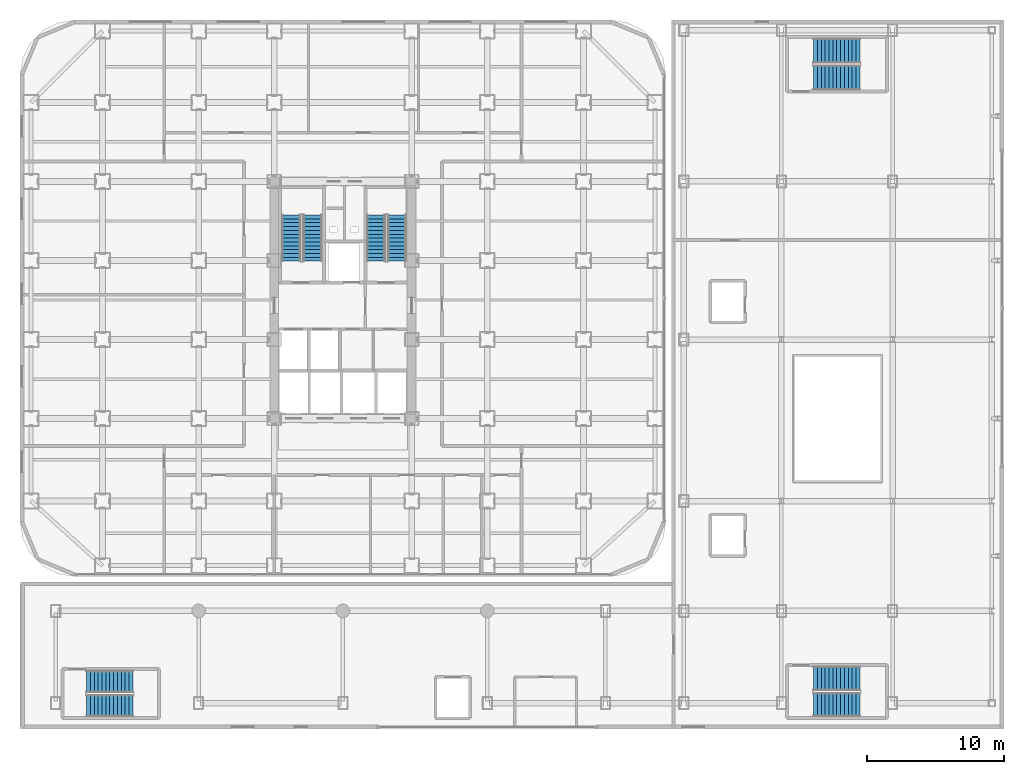
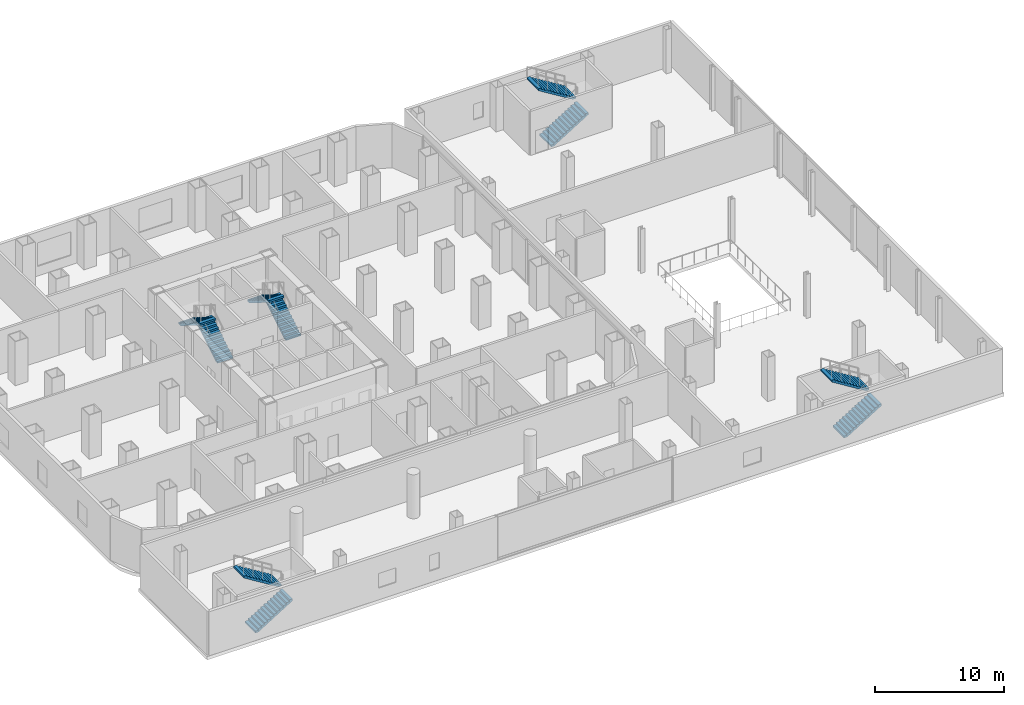
# One storey, part 23 of 27: 10 stair flights, 5 elements without a shape of their own.
"""IFC4 building model written with IfcOpenShell, lengths in metres."""

from ifc_helpers import new_model, si_unit, direction, frame, origin, place, context, subcontext, project, spatial, polyline, outline, extrude, material, layer, layer_set, type_object, element, aggregate, save


model = new_model("IFC4")

# Units and contexts
model_context = context("Model", 3, precision=1e-05, world=origin(), true_north=direction((0.0, 1.0)))
body_context = subcontext(model_context, "Body", "Model", "MODEL_VIEW")
ifc_project = project(units=[si_unit("LENGTHUNIT", "METRE"), si_unit("AREAUNIT", "SQUARE_METRE"), si_unit("VOLUMEUNIT", "CUBIC_METRE"), si_unit("PLANEANGLEUNIT", "RADIAN"), si_unit("MASSUNIT", "GRAM", prefix="KILO")], contexts=[model_context])

# Site, building, storey
site_placement = place(None, origin())
site = spatial("IfcSite", under=ifc_project, at=site_placement, CompositionType="ELEMENT")
building_placement = place(site_placement, origin())
building = spatial("IfcBuilding", under=site, at=building_placement, Name="Kolveth Station Tower", CompositionType="ELEMENT")
storey_placement = place(building_placement, frame((0.0, 0.0, 13.5)))
storey = spatial("IfcBuildingStorey", under=building, at=storey_placement, Name="L03", CompositionType="ELEMENT", Elevation=13.5)

# Stair, stair flights
ifc_material = material(Name="Concrete C40/50", Category="concrete")
stair_type_1 = type_object("IfcStairType", Name="Stair_ST1", PredefinedType="HALF_TURN_STAIR", material=ifc_material)
stair_1_placement = place(storey_placement, origin())
stair_1 = element("IfcStair", 1, at=stair_1_placement, inside=storey, type_object=stair_type_1, Name="L03 Tower Exit Stair ST1", PredefinedType="HALF_TURN_STAIR")
ifc_layer_1 = layer(ifc_material, 0.179931640625)
ifc_layer_set_1 = layer_set([ifc_layer_1], Name="Concrete C40/50")
stair_flight_type_1 = type_object("IfcStairFlightType", Name="Flight_ST1", PredefinedType="STRAIGHT", material=ifc_layer_set_1)
stair_flight_1_placement = place(storey_placement, frame((21.300048828125, 22.949951171875, 0.0), z_axis=(0.0, 0.0, 1.0), x_axis=(0.0, 1.0, 0.0)))
stair_flight_1 = element("IfcStairFlight", 2, at=stair_flight_1_placement, type_object=stair_flight_type_1, Name="ST1 flight 1", NumberOfRisers=13, NumberOfTreads=12, PredefinedType="STRAIGHT", RiserHeight=0.173076923, TreadLength=0.28, context=body_context, shape_type="SweptSolid", body=[
    extrude(outline(polyline([(0.0, 0.0), (0.0, 0.173095703125), (0.280029296875, 0.173095703125), (0.280029296875, 0.34619140625), (0.56005859375, 0.34619140625), (0.56005859375, 0.519287109375), (0.840087890625, 0.519287109375), (0.840087890625, 0.6923828125), (1.1201171875, 0.6923828125), (1.1201171875, 0.865478515625), (1.39990234375, 0.865478515625), (1.39990234375, 1.03857421875), (1.679931640625, 1.03857421875), (1.679931640625, 1.21142578125), (1.9599609375, 1.21142578125), (1.9599609375, 1.384521484375), (2.239990234375, 1.384521484375), (2.239990234375, 1.5576171875), (2.52001953125, 1.5576171875), (2.52001953125, 1.730712890625), (2.800048828125, 1.730712890625), (2.800048828125, 1.90380859375), (3.080078125, 1.90380859375), (3.080078125, 2.076904296875), (3.360107421875, 2.076904296875), (3.360107421875, 2.25), (3.360107421875, 1.900634765625), (0.28515625, 0.0), (0.0, 0.0)])), frame((0.0, 0.699951171875, 0.0), z_axis=(0.0, -1.0, 0.0), x_axis=(1.0, 0.0, 0.0)), (0.0, 0.0, 1.0), 1.39990234375),
])
stair_flight_2_placement = place(storey_placement, frame((19.739990234375, 26.31005859375, 2.25), z_axis=(0.0, 0.0, 1.0), x_axis=(0.0, -1.0, 0.0)))
stair_flight_2 = element("IfcStairFlight", 3, at=stair_flight_2_placement, type_object=stair_flight_type_1, Name="ST1 flight 2", NumberOfRisers=13, NumberOfTreads=12, PredefinedType="STRAIGHT", RiserHeight=0.173076923, TreadLength=0.28, context=body_context, shape_type="SweptSolid", body=[
    extrude(outline(polyline([(0.0, 0.0), (0.0, 0.173095703125), (0.280029296875, 0.173095703125), (0.280029296875, 0.34619140625), (0.56005859375, 0.34619140625), (0.56005859375, 0.519287109375), (0.840087890625, 0.519287109375), (0.840087890625, 0.6923828125), (1.1201171875, 0.6923828125), (1.1201171875, 0.865478515625), (1.39990234375, 0.865478515625), (1.39990234375, 1.03857421875), (1.679931640625, 1.03857421875), (1.679931640625, 1.21142578125), (1.9599609375, 1.21142578125), (1.9599609375, 1.384521484375), (2.239990234375, 1.384521484375), (2.239990234375, 1.5576171875), (2.52001953125, 1.5576171875), (2.52001953125, 1.730712890625), (2.800048828125, 1.730712890625), (2.800048828125, 1.90380859375), (3.080078125, 1.90380859375), (3.080078125, 2.076904296875), (3.360107421875, 2.076904296875), (3.360107421875, 2.25), (3.360107421875, 1.900634765625), (0.28515625, 0.0), (0.0, 0.0)])), frame((0.0, 0.699951171875, 0.0), z_axis=(0.0, -1.0, 0.0), x_axis=(1.0, 0.0, 0.0)), (0.0, 0.0, 1.0), 1.39990234375),
])
aggregate(stair_1, [stair_flight_1, stair_flight_2])

stair_type_2 = type_object("IfcStairType", Name="Stair_ST2", PredefinedType="HALF_TURN_STAIR", material=ifc_material)
stair_2_placement = place(storey_placement, origin())
stair_2 = element("IfcStair", 4, at=stair_2_placement, inside=storey, type_object=stair_type_2, Name="L03 Tower Exit Stair ST2", PredefinedType="HALF_TURN_STAIR")
ifc_layer_2 = layer(ifc_material, 0.179931640625)
ifc_layer_set_2 = layer_set([ifc_layer_2], Name="Concrete C40/50")
stair_flight_type_2 = type_object("IfcStairFlightType", Name="Flight_ST2", PredefinedType="STRAIGHT", material=ifc_layer_set_2)
stair_flight_3_placement = place(storey_placement, frame((27.425048828125, 22.949951171875, 0.0), z_axis=(0.0, 0.0, 1.0), x_axis=(0.0, 1.0, 0.0)))
stair_flight_3 = element("IfcStairFlight", 5, at=stair_flight_3_placement, type_object=stair_flight_type_2, Name="ST2 flight 1", NumberOfRisers=13, NumberOfTreads=12, PredefinedType="STRAIGHT", RiserHeight=0.173076923, TreadLength=0.28, context=body_context, shape_type="SweptSolid", body=[
    extrude(outline(polyline([(0.0, 0.0), (0.0, 0.173095703125), (0.280029296875, 0.173095703125), (0.280029296875, 0.34619140625), (0.56005859375, 0.34619140625), (0.56005859375, 0.519287109375), (0.840087890625, 0.519287109375), (0.840087890625, 0.6923828125), (1.1201171875, 0.6923828125), (1.1201171875, 0.865478515625), (1.39990234375, 0.865478515625), (1.39990234375, 1.03857421875), (1.679931640625, 1.03857421875), (1.679931640625, 1.21142578125), (1.9599609375, 1.21142578125), (1.9599609375, 1.384521484375), (2.239990234375, 1.384521484375), (2.239990234375, 1.5576171875), (2.52001953125, 1.5576171875), (2.52001953125, 1.730712890625), (2.800048828125, 1.730712890625), (2.800048828125, 1.90380859375), (3.080078125, 1.90380859375), (3.080078125, 2.076904296875), (3.360107421875, 2.076904296875), (3.360107421875, 2.25), (3.360107421875, 1.900634765625), (0.28515625, 0.0), (0.0, 0.0)])), frame((0.0, 0.675048828125, 0.0), z_axis=(0.0, -1.0, 0.0), x_axis=(1.0, 0.0, 0.0)), (0.0, 0.0, 1.0), 1.35009765625),
])
stair_flight_4_placement = place(storey_placement, frame((25.9150390625, 26.31005859375, 2.25), z_axis=(0.0, 0.0, 1.0), x_axis=(0.0, -1.0, 0.0)))
stair_flight_4 = element("IfcStairFlight", 6, at=stair_flight_4_placement, type_object=stair_flight_type_2, Name="ST2 flight 2", NumberOfRisers=13, NumberOfTreads=12, PredefinedType="STRAIGHT", RiserHeight=0.173076923, TreadLength=0.28, context=body_context, shape_type="SweptSolid", body=[
    extrude(outline(polyline([(0.0, 0.0), (0.0, 0.173095703125), (0.280029296875, 0.173095703125), (0.280029296875, 0.34619140625), (0.56005859375, 0.34619140625), (0.56005859375, 0.519287109375), (0.840087890625, 0.519287109375), (0.840087890625, 0.6923828125), (1.1201171875, 0.6923828125), (1.1201171875, 0.865478515625), (1.39990234375, 0.865478515625), (1.39990234375, 1.03857421875), (1.679931640625, 1.03857421875), (1.679931640625, 1.21142578125), (1.9599609375, 1.21142578125), (1.9599609375, 1.384521484375), (2.239990234375, 1.384521484375), (2.239990234375, 1.5576171875), (2.52001953125, 1.5576171875), (2.52001953125, 1.730712890625), (2.800048828125, 1.730712890625), (2.800048828125, 1.90380859375), (3.080078125, 1.90380859375), (3.080078125, 2.076904296875), (3.360107421875, 2.076904296875), (3.360107421875, 2.25), (3.360107421875, 1.900634765625), (0.28515625, 0.0), (0.0, 0.0)])), frame((0.0, 0.675048828125, 0.0), z_axis=(0.0, -1.0, 0.0), x_axis=(1.0, 0.0, 0.0)), (0.0, 0.0, 1.0), 1.35009765625),
])
aggregate(stair_2, [stair_flight_3, stair_flight_4])

stair_type_3 = type_object("IfcStairType", Name="Stair_ST3", PredefinedType="HALF_TURN_STAIR", material=ifc_material)
stair_3_placement = place(storey_placement, origin())
stair_3 = element("IfcStair", 7, at=stair_3_placement, inside=storey, type_object=stair_type_3, Name="L03 Station North Exit Stair ST3", PredefinedType="HALF_TURN_STAIR")
ifc_layer_3 = layer(ifc_material, 0.179931640625)
ifc_layer_set_3 = layer_set([ifc_layer_3], Name="Concrete C40/50")
stair_flight_type_3 = type_object("IfcStairFlightType", Name="Flight_ST3", PredefinedType="STRAIGHT", material=ifc_layer_set_3)
stair_flight_5_placement = place(storey_placement, frame((57.75, 36.300048828125, 0.0), z_axis=(0.0, 0.0, 1.0), x_axis=(1.0, 0.0, 0.0)))
stair_flight_5 = element("IfcStairFlight", 8, at=stair_flight_5_placement, type_object=stair_flight_type_3, Name="ST3 flight 1", NumberOfRisers=13, NumberOfTreads=12, PredefinedType="STRAIGHT", RiserHeight=0.173076923, TreadLength=0.28, context=body_context, shape_type="SweptSolid", body=[
    extrude(outline(polyline([(0.0, 0.0), (0.0, 0.173095703125), (0.280029296875, 0.173095703125), (0.280029296875, 0.34619140625), (0.56005859375, 0.34619140625), (0.56005859375, 0.519287109375), (0.840087890625, 0.519287109375), (0.840087890625, 0.6923828125), (1.1201171875, 0.6923828125), (1.1201171875, 0.865478515625), (1.39990234375, 0.865478515625), (1.39990234375, 1.03857421875), (1.679931640625, 1.03857421875), (1.679931640625, 1.21142578125), (1.9599609375, 1.21142578125), (1.9599609375, 1.384521484375), (2.239990234375, 1.384521484375), (2.239990234375, 1.5576171875), (2.52001953125, 1.5576171875), (2.52001953125, 1.730712890625), (2.800048828125, 1.730712890625), (2.800048828125, 1.90380859375), (3.080078125, 1.90380859375), (3.080078125, 2.076904296875), (3.360107421875, 2.076904296875), (3.360107421875, 2.25), (3.360107421875, 1.900634765625), (0.28515625, 0.0), (0.0, 0.0)])), frame((0.0, 0.89990234375, 0.0), z_axis=(0.0, -1.0, 0.0), x_axis=(1.0, 0.0, 0.0)), (0.0, 0.0, 1.0), 1.800048828125),
])
stair_flight_6_placement = place(storey_placement, frame((61.110107421875, 38.260009765625, 2.25), z_axis=(0.0, 0.0, 1.0), x_axis=(-1.0, 0.0, 0.0)))
stair_flight_6 = element("IfcStairFlight", 9, at=stair_flight_6_placement, type_object=stair_flight_type_3, Name="ST3 flight 2", NumberOfRisers=13, NumberOfTreads=12, PredefinedType="STRAIGHT", RiserHeight=0.173076923, TreadLength=0.28, context=body_context, shape_type="SweptSolid", body=[
    extrude(outline(polyline([(0.0, 0.0), (0.0, 0.173095703125), (0.280029296875, 0.173095703125), (0.280029296875, 0.34619140625), (0.56005859375, 0.34619140625), (0.56005859375, 0.519287109375), (0.840087890625, 0.519287109375), (0.840087890625, 0.6923828125), (1.1201171875, 0.6923828125), (1.1201171875, 0.865478515625), (1.39990234375, 0.865478515625), (1.39990234375, 1.03857421875), (1.679931640625, 1.03857421875), (1.679931640625, 1.21142578125), (1.9599609375, 1.21142578125), (1.9599609375, 1.384521484375), (2.239990234375, 1.384521484375), (2.239990234375, 1.5576171875), (2.52001953125, 1.5576171875), (2.52001953125, 1.730712890625), (2.800048828125, 1.730712890625), (2.800048828125, 1.90380859375), (3.080078125, 1.90380859375), (3.080078125, 2.076904296875), (3.360107421875, 2.076904296875), (3.360107421875, 2.25), (3.360107421875, 1.900634765625), (0.28515625, 0.0), (0.0, 0.0)])), frame((0.0, 0.89990234375, 0.0), z_axis=(0.0, -1.0, 0.0), x_axis=(1.0, 0.0, 0.0)), (0.0, 0.0, 1.0), 1.800048828125),
])
aggregate(stair_3, [stair_flight_5, stair_flight_6])

stair_type_4 = type_object("IfcStairType", Name="Stair_ST4", PredefinedType="HALF_TURN_STAIR", material=ifc_material)
stair_4_placement = place(storey_placement, origin())
stair_4 = element("IfcStair", 10, at=stair_4_placement, inside=storey, type_object=stair_type_4, Name="L03 Station South-East Exit Stair ST4", PredefinedType="HALF_TURN_STAIR")
ifc_layer_4 = layer(ifc_material, 0.179931640625)
ifc_layer_set_4 = layer_set([ifc_layer_4], Name="Concrete C40/50")
stair_flight_type_4 = type_object("IfcStairFlightType", Name="Flight_ST4", PredefinedType="STRAIGHT", material=ifc_layer_set_4)
stair_flight_7_placement = place(storey_placement, frame((57.75, -9.324951171875, 0.0), z_axis=(0.0, 0.0, 1.0), x_axis=(1.0, 0.0, 0.0)))
stair_flight_7 = element("IfcStairFlight", 11, at=stair_flight_7_placement, type_object=stair_flight_type_4, Name="ST4 flight 1", NumberOfRisers=13, NumberOfTreads=12, PredefinedType="STRAIGHT", RiserHeight=0.173076923, TreadLength=0.28, context=body_context, shape_type="SweptSolid", body=[
    extrude(outline(polyline([(0.0, 0.0), (0.0, 0.173095703125), (0.280029296875, 0.173095703125), (0.280029296875, 0.34619140625), (0.56005859375, 0.34619140625), (0.56005859375, 0.519287109375), (0.840087890625, 0.519287109375), (0.840087890625, 0.6923828125), (1.1201171875, 0.6923828125), (1.1201171875, 0.865478515625), (1.39990234375, 0.865478515625), (1.39990234375, 1.03857421875), (1.679931640625, 1.03857421875), (1.679931640625, 1.21142578125), (1.9599609375, 1.21142578125), (1.9599609375, 1.384521484375), (2.239990234375, 1.384521484375), (2.239990234375, 1.5576171875), (2.52001953125, 1.5576171875), (2.52001953125, 1.730712890625), (2.800048828125, 1.730712890625), (2.800048828125, 1.90380859375), (3.080078125, 1.90380859375), (3.080078125, 2.076904296875), (3.360107421875, 2.076904296875), (3.360107421875, 2.25), (3.360107421875, 1.900634765625), (0.28515625, 0.0), (0.0, 0.0)])), frame((0.0, 0.875, 0.0), z_axis=(0.0, -1.0, 0.0), x_axis=(1.0, 0.0, 0.0)), (0.0, 0.0, 1.0), 1.75),
])
stair_flight_8_placement = place(storey_placement, frame((61.110107421875, -7.4150390625, 2.25), z_axis=(0.0, 0.0, 1.0), x_axis=(-1.0, 0.0, 0.0)))
stair_flight_8 = element("IfcStairFlight", 12, at=stair_flight_8_placement, type_object=stair_flight_type_4, Name="ST4 flight 2", NumberOfRisers=13, NumberOfTreads=12, PredefinedType="STRAIGHT", RiserHeight=0.173076923, TreadLength=0.28, context=body_context, shape_type="SweptSolid", body=[
    extrude(outline(polyline([(0.0, 0.0), (0.0, 0.173095703125), (0.280029296875, 0.173095703125), (0.280029296875, 0.34619140625), (0.56005859375, 0.34619140625), (0.56005859375, 0.519287109375), (0.840087890625, 0.519287109375), (0.840087890625, 0.6923828125), (1.1201171875, 0.6923828125), (1.1201171875, 0.865478515625), (1.39990234375, 0.865478515625), (1.39990234375, 1.03857421875), (1.679931640625, 1.03857421875), (1.679931640625, 1.21142578125), (1.9599609375, 1.21142578125), (1.9599609375, 1.384521484375), (2.239990234375, 1.384521484375), (2.239990234375, 1.5576171875), (2.52001953125, 1.5576171875), (2.52001953125, 1.730712890625), (2.800048828125, 1.730712890625), (2.800048828125, 1.90380859375), (3.080078125, 1.90380859375), (3.080078125, 2.076904296875), (3.360107421875, 2.076904296875), (3.360107421875, 2.25), (3.360107421875, 1.900634765625), (0.28515625, 0.0), (0.0, 0.0)])), frame((0.0, 0.875, 0.0), z_axis=(0.0, -1.0, 0.0), x_axis=(1.0, 0.0, 0.0)), (0.0, 0.0, 1.0), 1.75),
])
aggregate(stair_4, [stair_flight_7, stair_flight_8])

stair_type_5 = type_object("IfcStairType", Name="Stair_ST5", PredefinedType="HALF_TURN_STAIR", material=ifc_material)
stair_5_placement = place(storey_placement, origin())
stair_5 = element("IfcStair", 13, at=stair_5_placement, inside=storey, type_object=stair_type_5, Name="L03 Station West Concourse Stair ST5", PredefinedType="HALF_TURN_STAIR")
ifc_layer_5 = layer(ifc_material, 0.179931640625)
ifc_layer_set_5 = layer_set([ifc_layer_5], Name="Concrete C40/50")
stair_flight_type_5 = type_object("IfcStairFlightType", Name="Flight_ST5", PredefinedType="STRAIGHT", material=ifc_layer_set_5)
stair_flight_9_placement = place(storey_placement, frame((4.85009765625, -9.39990234375, 0.0), z_axis=(0.0, 0.0, 1.0), x_axis=(1.0, 0.0, 0.0)))
stair_flight_9 = element("IfcStairFlight", 14, at=stair_flight_9_placement, type_object=stair_flight_type_5, Name="ST5 flight 1", NumberOfRisers=13, NumberOfTreads=12, PredefinedType="STRAIGHT", RiserHeight=0.173076923, TreadLength=0.28, context=body_context, shape_type="SweptSolid", body=[
    extrude(outline(polyline([(0.0, 0.0), (0.0, 0.173095703125), (0.280029296875, 0.173095703125), (0.280029296875, 0.34619140625), (0.56005859375, 0.34619140625), (0.56005859375, 0.519287109375), (0.840087890625, 0.519287109375), (0.840087890625, 0.6923828125), (1.1201171875, 0.6923828125), (1.1201171875, 0.865478515625), (1.39990234375, 0.865478515625), (1.39990234375, 1.03857421875), (1.679931640625, 1.03857421875), (1.679931640625, 1.21142578125), (1.9599609375, 1.21142578125), (1.9599609375, 1.384521484375), (2.239990234375, 1.384521484375), (2.239990234375, 1.5576171875), (2.52001953125, 1.5576171875), (2.52001953125, 1.730712890625), (2.800048828125, 1.730712890625), (2.800048828125, 1.90380859375), (3.080078125, 1.90380859375), (3.080078125, 2.076904296875), (3.360107421875, 2.076904296875), (3.360107421875, 2.25), (3.360107421875, 1.900634765625), (0.28515625, 0.0), (0.0, 0.0)])), frame((0.0, 0.800048828125, 0.0), z_axis=(0.0, -1.0, 0.0), x_axis=(1.0, 0.0, 0.0)), (0.0, 0.0, 1.0), 1.60009765625),
])
stair_flight_10_placement = place(storey_placement, frame((8.2099609375, -7.639892578125, 2.25), z_axis=(0.0, 0.0, 1.0), x_axis=(-1.0, 0.0, 0.0)))
stair_flight_10 = element("IfcStairFlight", 15, at=stair_flight_10_placement, type_object=stair_flight_type_5, Name="ST5 flight 2", NumberOfRisers=13, NumberOfTreads=12, PredefinedType="STRAIGHT", RiserHeight=0.173076923, TreadLength=0.28, context=body_context, shape_type="SweptSolid", body=[
    extrude(outline(polyline([(0.0, 0.0), (0.0, 0.173095703125), (0.280029296875, 0.173095703125), (0.280029296875, 0.34619140625), (0.56005859375, 0.34619140625), (0.56005859375, 0.519287109375), (0.840087890625, 0.519287109375), (0.840087890625, 0.6923828125), (1.1201171875, 0.6923828125), (1.1201171875, 0.865478515625), (1.39990234375, 0.865478515625), (1.39990234375, 1.03857421875), (1.679931640625, 1.03857421875), (1.679931640625, 1.21142578125), (1.9599609375, 1.21142578125), (1.9599609375, 1.384521484375), (2.239990234375, 1.384521484375), (2.239990234375, 1.5576171875), (2.52001953125, 1.5576171875), (2.52001953125, 1.730712890625), (2.800048828125, 1.730712890625), (2.800048828125, 1.90380859375), (3.080078125, 1.90380859375), (3.080078125, 2.076904296875), (3.360107421875, 2.076904296875), (3.360107421875, 2.25), (3.360107421875, 1.900634765625), (0.28515625, 0.0), (0.0, 0.0)])), frame((0.0, 0.800048828125, 0.0), z_axis=(0.0, -1.0, 0.0), x_axis=(1.0, 0.0, 0.0)), (0.0, 0.0, 1.0), 1.60009765625),
])
aggregate(stair_5, [stair_flight_9, stair_flight_10])

save(model, "model.ifc")
